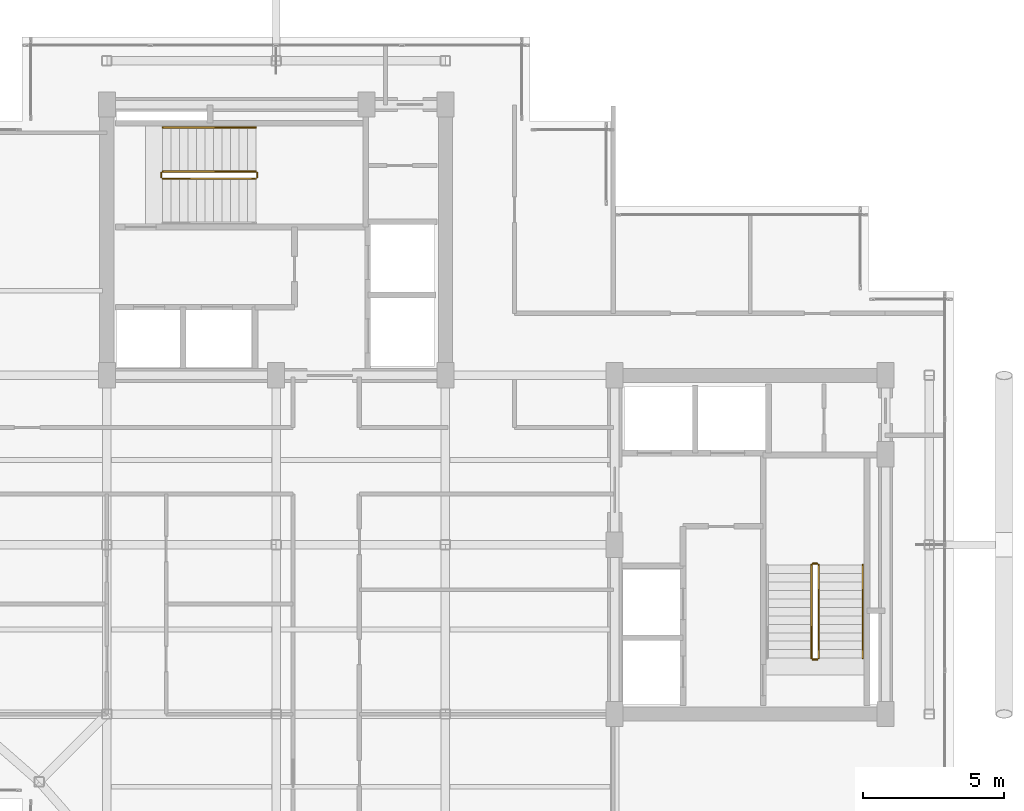
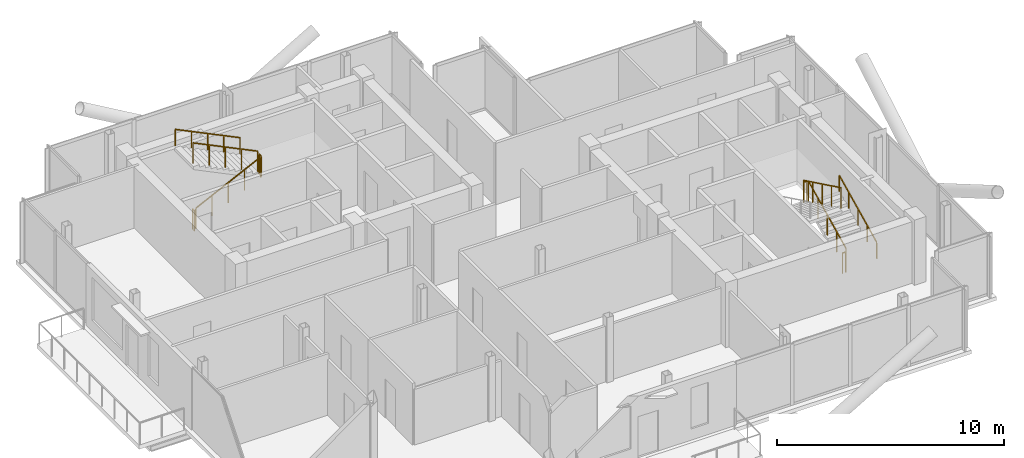
# One storey, part 18 of 18: 10 railings.
"""IFC4 building model written with IfcOpenShell, lengths in metres."""

from ifc_helpers import new_model, si_unit, direction, frame, origin, origin_2d, place, context, subcontext, project, spatial, rectangle, extrude, material, type_object, element, save


model = new_model("IFC4")

# Units and contexts
model_context = context("Model", 3, precision=1e-05, world=origin(), true_north=direction((0.0, 1.0)))
body_context = subcontext(model_context, "Body", "Model", "MODEL_VIEW")
ifc_project = project(units=[si_unit("LENGTHUNIT", "METRE"), si_unit("AREAUNIT", "SQUARE_METRE"), si_unit("VOLUMEUNIT", "CUBIC_METRE"), si_unit("PLANEANGLEUNIT", "RADIAN"), si_unit("MASSUNIT", "GRAM", prefix="KILO"), si_unit("THERMODYNAMICTEMPERATUREUNIT", "KELVIN"), si_unit("POWERUNIT", "WATT")], contexts=[model_context])

# Site, building, storey
site_placement = place(None, origin())
site = spatial("IfcSite", under=ifc_project, at=site_placement, CompositionType="ELEMENT")
building_placement = place(site_placement, origin())
building = spatial("IfcBuilding", under=site, at=building_placement, Name="Svarakhadi Broadcast Tower", CompositionType="ELEMENT")
storey_placement = place(building_placement, frame((0.0, 0.0, 267.699951171875)))
storey = spatial("IfcBuildingStorey", under=building, at=storey_placement, Name="L67", CompositionType="ELEMENT", Elevation=267.699951171875)

# Railings
ifc_material = material(Name="Anodised Bronze Aluminium AA 6063-T6", Category="aluminium")
railing_type_1 = type_object("IfcRailingType", Name="Guard_Stair_GR01", PredefinedType="GUARDRAIL", material=ifc_material)
railing_1_placement = place(storey_placement, frame((7.97998046875, 24.969970703125, 0.14599609375)))
element("IfcRailing", 1, at=railing_1_placement, inside=storey, type_object=railing_type_1, Name="L67 ST-01 stair guard 1", PredefinedType="GUARDRAIL", context=body_context, shape_type="SweptSolid", body=[
    extrude(rectangle(XDim=0.048095703125, YDim=0.048095703125, at=origin_2d()), frame((0.0, 0.0, 1.09619140625), z_axis=(0.899387838337, 0.0, 0.437151594131), x_axis=(0.0, 1.0, 0.0)), (0.0, 0.0, 1.0), 3.669189453125),
    extrude(rectangle(XDim=0.0419921875, YDim=0.0419921875, at=origin_2d()), origin(), (0.0, 0.0, 1.0), 1.072021484375),
    extrude(rectangle(XDim=0.0419921875, YDim=0.0419921875, at=origin_2d()), frame((0.824951171875, 0.0, 0.40087890625)), (0.0, 0.0, 1.0), 1.072021484375),
    extrude(rectangle(XDim=0.0419921875, YDim=0.0419921875, at=origin_2d()), frame((1.64990234375, 0.0, 0.802001953125)), (0.0, 0.0, 1.0), 1.072021484375),
    extrude(rectangle(XDim=0.0419921875, YDim=0.0419921875, at=origin_2d()), frame((2.47509765625, 0.0, 1.203125)), (0.0, 0.0, 1.0), 1.072021484375),
    extrude(rectangle(XDim=0.0419921875, YDim=0.0419921875, at=origin_2d()), frame((3.300048828125, 0.0, 1.60400390625)), (0.0, 0.0, 1.0), 1.072021484375),
])
railing_2_placement = place(storey_placement, frame((11.330078125, 25.02001953125, 1.75)))
element("IfcRailing", 2, at=railing_2_placement, inside=storey, type_object=railing_type_1, Name="L67 ST-01 stair guard 2", PredefinedType="GUARDRAIL", context=body_context, shape_type="SweptSolid", body=[
    extrude(rectangle(XDim=0.048095703125, YDim=0.048095703125, at=origin_2d()), frame((0.0, 0.0, 1.09619140625), z_axis=(0.0, 1.0, 0.0), x_axis=(-1.0, 0.0, 0.0)), (0.0, 0.0, 1.0), 0.159912109375),
    extrude(rectangle(XDim=0.0419921875, YDim=0.0419921875, at=origin_2d()), origin(), (0.0, 0.0, 1.0), 1.072021484375),
    extrude(rectangle(XDim=0.0419921875, YDim=0.0419921875, at=origin_2d()), frame((0.0, 0.159912109375, 0.0)), (0.0, 0.0, 1.0), 1.072021484375),
])
railing_3_placement = place(storey_placement, frame((11.280029296875, 25.22998046875, 1.89599609375)))
element("IfcRailing", 3, at=railing_3_placement, inside=storey, type_object=railing_type_1, Name="L67 ST-01 stair guard 3", PredefinedType="GUARDRAIL", context=body_context, shape_type="SweptSolid", body=[
    extrude(rectangle(XDim=0.048095703125, YDim=0.048095703125, at=origin_2d()), frame((0.0, 0.0, 1.09619140625), z_axis=(-0.899387838337, 0.0, 0.437151594131), x_axis=(0.0, -1.0, 0.0)), (0.0, 0.0, 1.0), 3.669189453125),
    extrude(rectangle(XDim=0.0419921875, YDim=0.0419921875, at=origin_2d()), origin(), (0.0, 0.0, 1.0), 1.072021484375),
    extrude(rectangle(XDim=0.0419921875, YDim=0.0419921875, at=origin_2d()), frame((-0.824951171875, 0.0, 0.40087890625)), (0.0, 0.0, 1.0), 1.072021484375),
    extrude(rectangle(XDim=0.0419921875, YDim=0.0419921875, at=origin_2d()), frame((-1.64990234375, 0.0, 0.802001953125)), (0.0, 0.0, 1.0), 1.072021484375),
    extrude(rectangle(XDim=0.0419921875, YDim=0.0419921875, at=origin_2d()), frame((-2.47509765625, 0.0, 1.203125)), (0.0, 0.0, 1.0), 1.072021484375),
    extrude(rectangle(XDim=0.0419921875, YDim=0.0419921875, at=origin_2d()), frame((-3.300048828125, 0.0, 1.60400390625)), (0.0, 0.0, 1.0), 1.072021484375),
])
railing_4_placement = place(storey_placement, frame((7.929931640625, 25.02001953125, 0.0)))
element("IfcRailing", 4, at=railing_4_placement, inside=storey, type_object=railing_type_1, Name="L67 ST-01 stair guard 4", PredefinedType="GUARDRAIL", context=body_context, shape_type="SweptSolid", body=[
    extrude(rectangle(XDim=0.048095703125, YDim=0.048095703125, at=origin_2d()), frame((0.0, 0.0, 1.09619140625), z_axis=(0.0, 1.0, 0.0), x_axis=(-1.0, 0.0, 0.0)), (0.0, 0.0, 1.0), 0.159912109375),
    extrude(rectangle(XDim=0.0419921875, YDim=0.0419921875, at=origin_2d()), origin(), (0.0, 0.0, 1.0), 1.072021484375),
    extrude(rectangle(XDim=0.0419921875, YDim=0.0419921875, at=origin_2d()), frame((0.0, 0.159912109375, 0.0)), (0.0, 0.0, 1.0), 1.072021484375),
])
railing_5_placement = place(storey_placement, frame((31.22998046875, 7.97998046875, 0.14599609375)))
element("IfcRailing", 5, at=railing_5_placement, inside=storey, type_object=railing_type_1, Name="L67 ST-02 stair guard 1", PredefinedType="GUARDRAIL", context=body_context, shape_type="SweptSolid", body=[
    extrude(rectangle(XDim=0.048095703125, YDim=0.048095703125, at=origin_2d()), frame((0.0, 0.0, 1.09619140625), z_axis=(0.0, 0.899387838337, 0.437151594131), x_axis=(-1.0, 0.0, 0.0)), (0.0, 0.0, 1.0), 3.669189453125),
    extrude(rectangle(XDim=0.0419921875, YDim=0.0419921875, at=origin_2d()), origin(), (0.0, 0.0, 1.0), 1.072021484375),
    extrude(rectangle(XDim=0.0419921875, YDim=0.0419921875, at=origin_2d()), frame((0.0, 0.824951171875, 0.40087890625)), (0.0, 0.0, 1.0), 1.072021484375),
    extrude(rectangle(XDim=0.0419921875, YDim=0.0419921875, at=origin_2d()), frame((0.0, 1.64990234375, 0.802001953125)), (0.0, 0.0, 1.0), 1.072021484375),
    extrude(rectangle(XDim=0.0419921875, YDim=0.0419921875, at=origin_2d()), frame((0.0, 2.47509765625, 1.203125)), (0.0, 0.0, 1.0), 1.072021484375),
    extrude(rectangle(XDim=0.0419921875, YDim=0.0419921875, at=origin_2d()), frame((0.0, 3.300048828125, 1.60400390625)), (0.0, 0.0, 1.0), 1.072021484375),
])
railing_6_placement = place(storey_placement, frame((31.179931640625, 11.330078125, 1.75)))
element("IfcRailing", 6, at=railing_6_placement, inside=storey, type_object=railing_type_1, Name="L67 ST-02 stair guard 2", PredefinedType="GUARDRAIL", context=body_context, shape_type="SweptSolid", body=[
    extrude(rectangle(XDim=0.048095703125, YDim=0.048095703125, at=origin_2d()), frame((0.0, 0.0, 1.09619140625), z_axis=(-1.0, 0.0, 0.0), x_axis=(0.0, -1.0, 0.0)), (0.0, 0.0, 1.0), 0.159912109375),
    extrude(rectangle(XDim=0.0419921875, YDim=0.0419921875, at=origin_2d()), origin(), (0.0, 0.0, 1.0), 1.072021484375),
    extrude(rectangle(XDim=0.0419921875, YDim=0.0419921875, at=origin_2d()), frame((-0.159912109375, 0.0, 0.0)), (0.0, 0.0, 1.0), 1.072021484375),
])
railing_7_placement = place(storey_placement, frame((30.969970703125, 11.280029296875, 1.89599609375)))
element("IfcRailing", 7, at=railing_7_placement, inside=storey, type_object=railing_type_1, Name="L67 ST-02 stair guard 3", PredefinedType="GUARDRAIL", context=body_context, shape_type="SweptSolid", body=[
    extrude(rectangle(XDim=0.048095703125, YDim=0.048095703125, at=origin_2d()), frame((0.0, 0.0, 1.09619140625), z_axis=(0.0, -0.899387838337, 0.437151594131), x_axis=(1.0, 0.0, 0.0)), (0.0, 0.0, 1.0), 3.669189453125),
    extrude(rectangle(XDim=0.0419921875, YDim=0.0419921875, at=origin_2d()), origin(), (0.0, 0.0, 1.0), 1.072021484375),
    extrude(rectangle(XDim=0.0419921875, YDim=0.0419921875, at=origin_2d()), frame((0.0, -0.824951171875, 0.40087890625)), (0.0, 0.0, 1.0), 1.072021484375),
    extrude(rectangle(XDim=0.0419921875, YDim=0.0419921875, at=origin_2d()), frame((0.0, -1.64990234375, 0.802001953125)), (0.0, 0.0, 1.0), 1.072021484375),
    extrude(rectangle(XDim=0.0419921875, YDim=0.0419921875, at=origin_2d()), frame((0.0, -2.47509765625, 1.203125)), (0.0, 0.0, 1.0), 1.072021484375),
    extrude(rectangle(XDim=0.0419921875, YDim=0.0419921875, at=origin_2d()), frame((0.0, -3.300048828125, 1.60400390625)), (0.0, 0.0, 1.0), 1.072021484375),
])
railing_8_placement = place(storey_placement, frame((31.179931640625, 7.929931640625, 0.0)))
element("IfcRailing", 8, at=railing_8_placement, inside=storey, type_object=railing_type_1, Name="L67 ST-02 stair guard 4", PredefinedType="GUARDRAIL", context=body_context, shape_type="SweptSolid", body=[
    extrude(rectangle(XDim=0.048095703125, YDim=0.048095703125, at=origin_2d()), frame((0.0, 0.0, 1.09619140625), z_axis=(-1.0, 0.0, 0.0), x_axis=(0.0, -1.0, 0.0)), (0.0, 0.0, 1.0), 0.159912109375),
    extrude(rectangle(XDim=0.0419921875, YDim=0.0419921875, at=origin_2d()), origin(), (0.0, 0.0, 1.0), 1.072021484375),
    extrude(rectangle(XDim=0.0419921875, YDim=0.0419921875, at=origin_2d()), frame((-0.159912109375, 0.0, 0.0)), (0.0, 0.0, 1.0), 1.072021484375),
])
railing_type_2 = type_object("IfcRailingType", Name="Handrail_Stair_HR01", PredefinedType="HANDRAIL", material=ifc_material)
railing_9_placement = place(storey_placement, frame((11.280029296875, 26.7900390625, 1.89599609375)))
element("IfcRailing", 9, at=railing_9_placement, inside=storey, type_object=railing_type_2, Name="L67 ST-01 stair handrail 2", PredefinedType="HANDRAIL", context=body_context, shape_type="SweptSolid", body=[
    extrude(rectangle(XDim=0.048095703125, YDim=0.048095703125, at=origin_2d()), frame((0.0, 0.0, 0.8759765625), z_axis=(-0.899387838337, 0.0, 0.437151594131), x_axis=(0.0, -1.0, 0.0)), (0.0, 0.0, 1.0), 3.669189453125),
    extrude(rectangle(XDim=0.0419921875, YDim=0.0419921875, at=origin_2d()), origin(), (0.0, 0.0, 1.0), 0.851806640625),
    extrude(rectangle(XDim=0.0419921875, YDim=0.0419921875, at=origin_2d()), frame((-0.824951171875, 0.0, 0.40087890625)), (0.0, 0.0, 1.0), 0.851806640625),
    extrude(rectangle(XDim=0.0419921875, YDim=0.0419921875, at=origin_2d()), frame((-1.64990234375, 0.0, 0.802001953125)), (0.0, 0.0, 1.0), 0.851806640625),
    extrude(rectangle(XDim=0.0419921875, YDim=0.0419921875, at=origin_2d()), frame((-2.47509765625, 0.0, 1.203125)), (0.0, 0.0, 1.0), 0.851806640625),
    extrude(rectangle(XDim=0.0419921875, YDim=0.0419921875, at=origin_2d()), frame((-3.300048828125, 0.0, 1.60400390625)), (0.0, 0.0, 1.0), 0.851806640625),
])
railing_10_placement = place(storey_placement, frame((32.7900390625, 7.97998046875, 0.14599609375)))
element("IfcRailing", 10, at=railing_10_placement, inside=storey, type_object=railing_type_2, Name="L67 ST-02 stair handrail 1", PredefinedType="HANDRAIL", context=body_context, shape_type="SweptSolid", body=[
    extrude(rectangle(XDim=0.048095703125, YDim=0.048095703125, at=origin_2d()), frame((0.0, 0.0, 0.8759765625), z_axis=(0.0, 0.899387838337, 0.437151594131), x_axis=(-1.0, 0.0, 0.0)), (0.0, 0.0, 1.0), 3.669189453125),
    extrude(rectangle(XDim=0.0419921875, YDim=0.0419921875, at=origin_2d()), origin(), (0.0, 0.0, 1.0), 0.851806640625),
    extrude(rectangle(XDim=0.0419921875, YDim=0.0419921875, at=origin_2d()), frame((0.0, 0.824951171875, 0.40087890625)), (0.0, 0.0, 1.0), 0.851806640625),
    extrude(rectangle(XDim=0.0419921875, YDim=0.0419921875, at=origin_2d()), frame((0.0, 1.64990234375, 0.802001953125)), (0.0, 0.0, 1.0), 0.851806640625),
    extrude(rectangle(XDim=0.0419921875, YDim=0.0419921875, at=origin_2d()), frame((0.0, 2.47509765625, 1.203125)), (0.0, 0.0, 1.0), 0.851806640625),
    extrude(rectangle(XDim=0.0419921875, YDim=0.0419921875, at=origin_2d()), frame((0.0, 3.300048828125, 1.60400390625)), (0.0, 0.0, 1.0), 0.851806640625),
])

save(model, "model.ifc")
